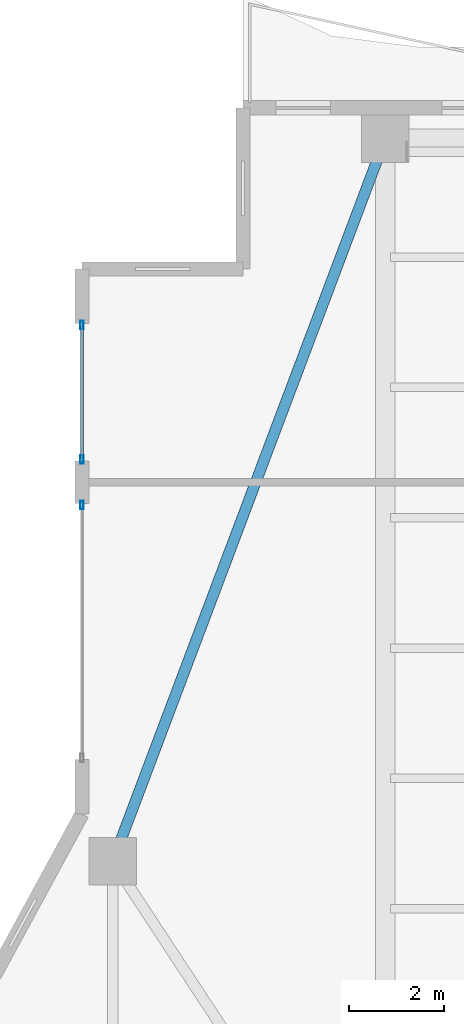
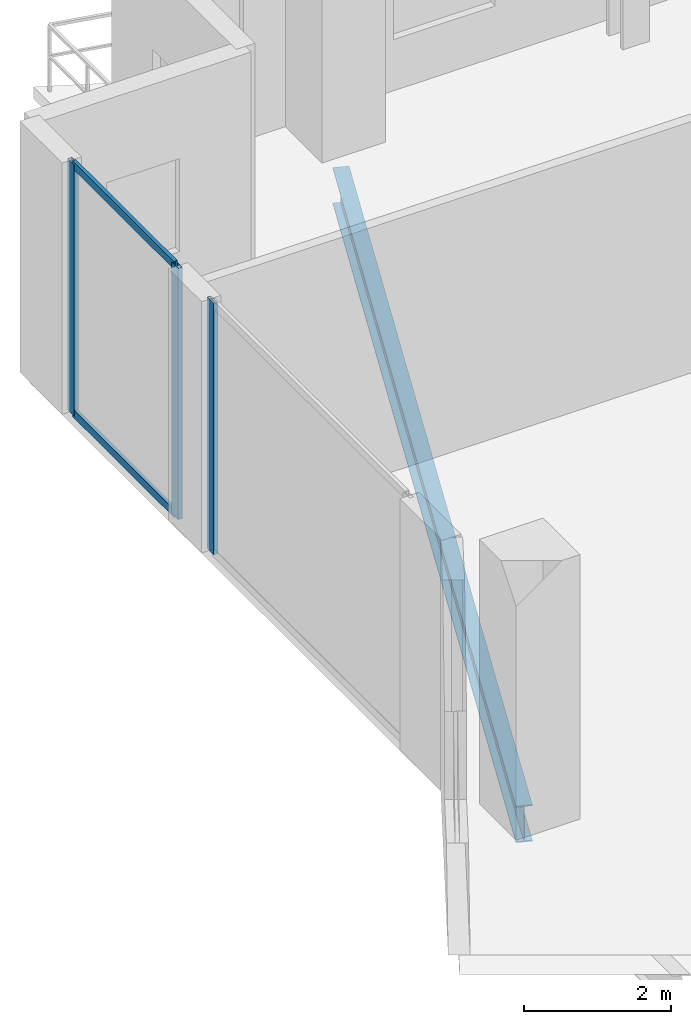
# One storey, part 11 of 24: 5 members, 1 beam, 2 elements without a shape of their own.
"""IFC4 building model written with IfcOpenShell, lengths in metres."""

from ifc_helpers import new_model, si_unit, direction, frame, origin, origin_2d, place, context, subcontext, project, spatial, hollow_rectangle, i_section, extrude, material, layer, layer_set, material_profile, profile_set, type_object, element, aggregate, save


model = new_model("IFC4")

# Units and contexts
model_context = context("Model", 3, precision=1e-05, world=origin(), true_north=direction((0.0, 1.0)))
body_context = subcontext(model_context, "Body", "Model", "MODEL_VIEW")
ifc_project = project(units=[si_unit("LENGTHUNIT", "METRE"), si_unit("AREAUNIT", "SQUARE_METRE"), si_unit("VOLUMEUNIT", "CUBIC_METRE"), si_unit("PLANEANGLEUNIT", "RADIAN"), si_unit("MASSUNIT", "GRAM", prefix="KILO")], contexts=[model_context])

# Site, building, storey
site_placement = place(None, origin())
site = spatial("IfcSite", under=ifc_project, at=site_placement, CompositionType="ELEMENT")
building_placement = place(site_placement, origin())
building = spatial("IfcBuilding", under=site, at=building_placement, Name="Zuhayl Quay Hotel", CompositionType="ELEMENT")
storey_placement = place(building_placement, frame((0.0, 0.0, 284.050048828125)))
storey = spatial("IfcBuildingStorey", under=building, at=storey_placement, Name="L72", CompositionType="ELEMENT", Elevation=284.050048828125)

# Beam
ifc_material_1 = material(Name="Steel ASTM A992 Grade 50", Category="steel")
ifc_material_profile_1 = material_profile(ifc_material_1, i_section(OverallWidth=0.22802734375, OverallDepth=0.60693359375, WebThickness=0.01123046875, FlangeThickness=0.017333984375, at=origin_2d()), Name="W24X76")
ifc_profile_set_1 = profile_set([ifc_material_profile_1], Name="Steel ASTM A992 Grade 50")
beam_type = type_object("IfcBeamType", Name="BM_B3_W24X76", PredefinedType="BEAM", material=ifc_profile_set_1)
beam_placement = place(storey_placement, frame((-13.96240234375, 37.919677734375, -0.5234375), z_axis=(-0.352796603103, -0.935700035716, 0.0), x_axis=(0.935700035716, -0.352796603103, 0.0)))
element("IfcBeam", 1, at=beam_placement, inside=storey, type_object=beam_type, Name="L72 Floor Beam RG_L72_10", PredefinedType="BEAM", context=body_context, shape_type="SweptSolid", body=[
    extrude(i_section(OverallWidth=0.22802734375, OverallDepth=0.60693359375, WebThickness=0.01123046875, FlangeThickness=0.017333984375, at=origin_2d()), origin(), (0.0, 0.0, 1.0), 15.3779296875),
])

# Curtain wall, member
ifc_material_2 = material(Name="Anodised Aluminium 6063-T6", Category="aluminium")
ifc_layer = layer(ifc_material_2, 0.169921875, Name="Anodised Aluminium 6063-T6", Category="aluminium")
ifc_layer_set = layer_set([ifc_layer], Name="Anodised Aluminium 6063-T6")
curtain_wall_type = type_object("IfcCurtainWallType", Name="CW_SYS_Z4", PredefinedType="USERDEFINED", material=ifc_layer_set)
curtain_wall_1_placement = place(storey_placement, origin())
curtain_wall_1 = element("IfcCurtainWall", 2, at=curtain_wall_1_placement, inside=storey, type_object=curtain_wall_type, Name="L72 Curtain Wall ENV_L72_E05_CW1", ObjectType="UNITISED CURTAIN WALL", PredefinedType="USERDEFINED")
ifc_material_3 = material(Name="Black-anodised aluminium 6063-T6", Category="aluminium")
ifc_material_profile_2 = material_profile(ifc_material_3, hollow_rectangle(XDim=0.06494140625, YDim=0.179931640625, WallThickness=0.00341796875, at=origin_2d()), Name="ALU180X65")
ifc_profile_set_2 = profile_set([ifc_material_profile_2], Name="Black-anodised aluminium 6063-T6")
member_type_1 = type_object("IfcMemberType", Name="MB_CW_MUL_180", PredefinedType="MULLION", material=ifc_profile_set_2)
member_1_placement = place(storey_placement, frame((-20.199951171875, 30.617431640625, 0.0), z_axis=(0.0, 0.0, 1.0), x_axis=(-1.0, 0.0, 0.0)))
member_1 = element("IfcMember", 3, at=member_1_placement, type_object=member_type_1, Name="CW-Z4 mullion 2", PredefinedType="MULLION", context=body_context, shape_type="SweptSolid", body=[
    extrude(hollow_rectangle(XDim=0.06494140625, YDim=0.179931640625, WallThickness=0.00341796875, at=origin_2d()), origin(), (0.0, 0.0, 1.0), 4.179931640625),
])
aggregate(curtain_wall_1, [member_1])

# Curtain wall, members
curtain_wall_2_placement = place(storey_placement, origin())
curtain_wall_2 = element("IfcCurtainWall", 4, at=curtain_wall_2_placement, inside=storey, type_object=curtain_wall_type, Name="L72 Curtain Wall ENV_L72_E05_CW2", ObjectType="UNITISED CURTAIN WALL", PredefinedType="USERDEFINED")
member_2_placement = place(storey_placement, frame((-20.199951171875, 31.58251953125, 0.0), z_axis=(0.0, 0.0, 1.0), x_axis=(-1.0, 0.0, 0.0)))
member_2 = element("IfcMember", 5, at=member_2_placement, type_object=member_type_1, Name="CW-Z4 mullion 1", PredefinedType="MULLION", context=body_context, shape_type="SweptSolid", body=[
    extrude(hollow_rectangle(XDim=0.06494140625, YDim=0.179931640625, WallThickness=0.00341796875, at=origin_2d()), origin(), (0.0, 0.0, 1.0), 4.179931640625),
])
member_3_placement = place(storey_placement, frame((-20.199951171875, 34.41748046875, 0.0), z_axis=(0.0, 0.0, 1.0), x_axis=(-1.0, 0.0, 0.0)))
member_3 = element("IfcMember", 6, at=member_3_placement, type_object=member_type_1, Name="CW-Z4 mullion 2", PredefinedType="MULLION", context=body_context, shape_type="SweptSolid", body=[
    extrude(hollow_rectangle(XDim=0.06494140625, YDim=0.179931640625, WallThickness=0.00341796875, at=origin_2d()), origin(), (0.0, 0.0, 1.0), 4.179931640625),
])
ifc_material_profile_3 = material_profile(ifc_material_3, hollow_rectangle(XDim=0.054931640625, YDim=0.1298828125, WallThickness=0.0029296875, at=origin_2d()), Name="ALU130X55")
ifc_profile_set_3 = profile_set([ifc_material_profile_3], Name="Black-anodised aluminium 6063-T6")
member_type_2 = type_object("IfcMemberType", Name="MB_CW_TRN_130", PredefinedType="USERDEFINED", material=ifc_profile_set_3)
member_4_placement = place(storey_placement, frame((-20.199951171875, 31.614990234375, 0.02734375), z_axis=(0.0, 1.0, 0.0), x_axis=(-1.0, 0.0, 0.0)))
member_4 = element("IfcMember", 7, at=member_4_placement, type_object=member_type_2, Name="CW-Z4 transom 1.1", ObjectType="TRANSOM", PredefinedType="USERDEFINED", context=body_context, shape_type="SweptSolid", body=[
    extrude(hollow_rectangle(XDim=0.054931640625, YDim=0.1298828125, WallThickness=0.0029296875, at=origin_2d()), origin(), (0.0, 0.0, 1.0), 2.77001953125),
])
member_5_placement = place(storey_placement, frame((-20.199951171875, 31.614990234375, 4.15234375), z_axis=(0.0, 1.0, 0.0), x_axis=(-1.0, 0.0, 0.0)))
member_5 = element("IfcMember", 8, at=member_5_placement, type_object=member_type_2, Name="CW-Z4 transom 1.2", ObjectType="TRANSOM", PredefinedType="USERDEFINED", context=body_context, shape_type="SweptSolid", body=[
    extrude(hollow_rectangle(XDim=0.054931640625, YDim=0.1298828125, WallThickness=0.0029296875, at=origin_2d()), origin(), (0.0, 0.0, 1.0), 2.77001953125),
])
aggregate(curtain_wall_2, [member_2, member_3, member_4, member_5])

save(model, "model.ifc")
